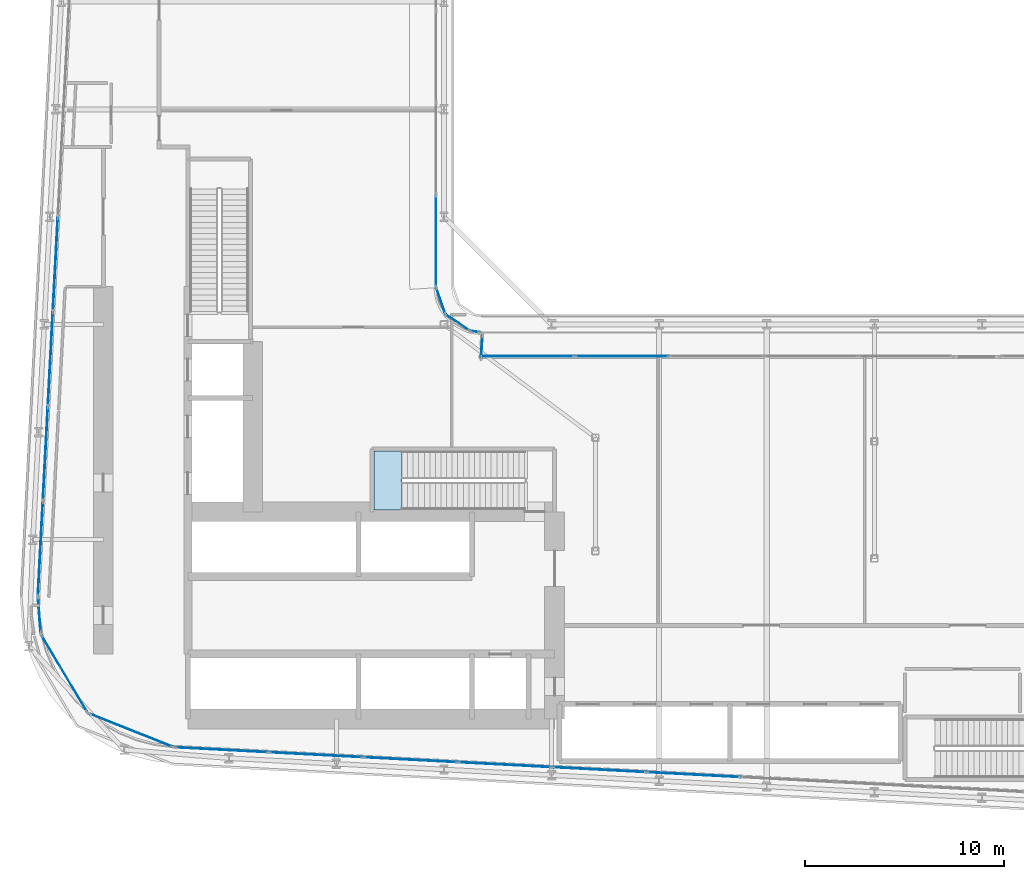
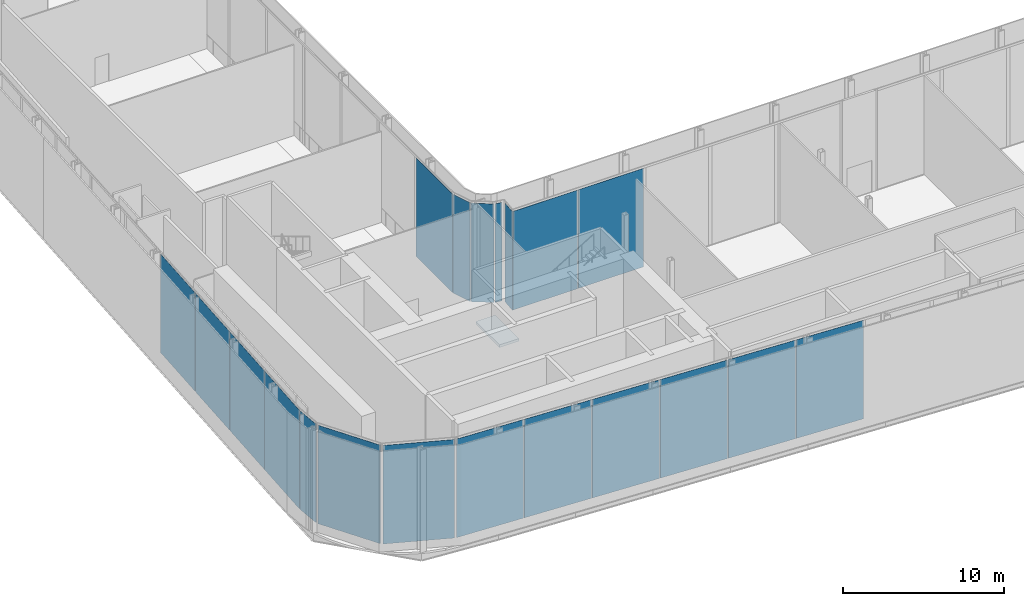
# One storey, part 20 of 36: 20 plates, 1 slab, 12 elements without a shape of their own.
"""IFC4 building model written with IfcOpenShell, lengths in metres."""

from ifc_helpers import new_model, si_unit, direction, frame, origin, origin_2d, place, context, subcontext, project, spatial, polyline, rectangle, outline, extrude, material, layer, layer_set, type_object, element, aggregate, save


model = new_model("IFC4")

# Units and contexts
model_context = context("Model", 3, precision=1e-05, world=origin(), true_north=direction((0.0, 1.0)))
body_context = subcontext(model_context, "Body", "Model", "MODEL_VIEW")
ifc_project = project(units=[si_unit("LENGTHUNIT", "METRE"), si_unit("AREAUNIT", "SQUARE_METRE"), si_unit("VOLUMEUNIT", "CUBIC_METRE"), si_unit("PLANEANGLEUNIT", "RADIAN"), si_unit("MASSUNIT", "GRAM", prefix="KILO")], contexts=[model_context])

# Site, building, storey
site_placement = place(None, origin())
site = spatial("IfcSite", under=ifc_project, at=site_placement, CompositionType="ELEMENT")
building_placement = place(site_placement, origin())
building = spatial("IfcBuilding", under=site, at=building_placement, Name="Kheshtan School and Residences Tower", CompositionType="ELEMENT")
storey_placement = place(building_placement, frame((0.0, 0.0, 81.199951171875)))
storey = spatial("IfcBuildingStorey", under=building, at=storey_placement, Name="L19", CompositionType="ELEMENT", Elevation=81.199951171875)

# Curtain wall, plates
ifc_material_1 = material(Name="Clear low-e glass in thermally broken aluminium frame", Category="aluminium")
ifc_layer_1 = layer(ifc_material_1, 0.25)
ifc_layer_set_1 = layer_set([ifc_layer_1], Name="Curtain wall CW-G")
curtain_wall_type_1 = type_object("IfcCurtainWallType", Name="Curtain wall CW-G", PredefinedType="NOTDEFINED", material=ifc_layer_set_1)
curtain_wall_1_placement = place(storey_placement, origin())
curtain_wall_1 = element("IfcCurtainWall", 1, at=curtain_wall_1_placement, inside=storey, type_object=curtain_wall_type_1, Name="Curtain wall CWG5", PredefinedType="NOTDEFINED")
ifc_layer_2 = layer(ifc_material_1, 0.0380859375)
ifc_layer_set_2 = layer_set([ifc_layer_2], Name="CW-G glass panel")
plate_type_1 = type_object("IfcPlateType", Name="CW-G glass panel", PredefinedType="CURTAIN_PANEL", material=ifc_layer_set_2)
plate_1_placement = place(storey_placement, frame((51.81640625, 44.0, 0.0), z_axis=(0.0, 0.0, 1.0), x_axis=(1.0, 0.0, 0.0)))
plate_1 = element("IfcPlate", 2, at=plate_1_placement, type_object=plate_type_1, Name="CWG5 panel 1.1", PredefinedType="CURTAIN_PANEL", context=body_context, shape_type="SweptSolid", body=[
    extrude(rectangle(XDim=4.647216796875, YDim=0.0380859375, at=origin_2d()), origin(), (0.0, 0.0, 1.0), 7.489990234375),
])
plate_2_placement = place(storey_placement, frame((56.5400390625, 44.0, 0.0), z_axis=(0.0, 0.0, 1.0), x_axis=(1.0, 0.0, 0.0)))
plate_2 = element("IfcPlate", 3, at=plate_2_placement, type_object=plate_type_1, Name="CWG5 panel 2.1", PredefinedType="CURTAIN_PANEL", context=body_context, shape_type="SweptSolid", body=[
    extrude(rectangle(XDim=4.679931640625, YDim=0.0380859375, at=origin_2d()), origin(), (0.0, 0.0, 1.0), 7.489990234375),
])
aggregate(curtain_wall_1, [plate_1, plate_2])

# Curtain wall, plate
ifc_layer_3 = layer(ifc_material_1, 0.25)
ifc_layer_set_3 = layer_set([ifc_layer_3], Name="Curtain wall CW-K")
curtain_wall_type_2 = type_object("IfcCurtainWallType", Name="Curtain wall CW-K", PredefinedType="NOTDEFINED", material=ifc_layer_set_3)
curtain_wall_2_placement = place(storey_placement, origin())
curtain_wall_2 = element("IfcCurtainWall", 4, at=curtain_wall_2_placement, inside=storey, type_object=curtain_wall_type_2, Name="Curtain wall CWK1", PredefinedType="NOTDEFINED")
ifc_layer_4 = layer(ifc_material_1, 0.0380859375)
ifc_layer_set_4 = layer_set([ifc_layer_4], Name="CW-K glass panel")
plate_type_2 = type_object("IfcPlateType", Name="CW-K glass panel", PredefinedType="CURTAIN_PANEL", material=ifc_layer_set_4)
plate_3_placement = place(storey_placement, frame((47.44140625, 46.78662109375, 0.0), z_axis=(0.0, 0.0, 1.0), x_axis=(0.326520252796, -0.945190205469, 0.0)))
plate_3 = element("IfcPlate", 5, at=plate_3_placement, type_object=plate_type_2, Name="CWK1 panel 1.1", PredefinedType="CURTAIN_PANEL", context=body_context, shape_type="SweptSolid", body=[
    extrude(rectangle(XDim=1.392822265625, YDim=0.0380859375, at=origin_2d()), origin(), (0.0, 0.0, 1.0), 7.489990234375),
])
aggregate(curtain_wall_2, [plate_3])

curtain_wall_3_placement = place(storey_placement, origin())
curtain_wall_3 = element("IfcCurtainWall", 6, at=curtain_wall_3_placement, inside=storey, type_object=curtain_wall_type_2, Name="Curtain wall CWK2", PredefinedType="NOTDEFINED")
plate_4_placement = place(storey_placement, frame((48.294677734375, 45.69091796875, 0.0), z_axis=(0.0, 0.0, 1.0), x_axis=(0.831352904033, -0.555744859586, 0.0)))
plate_4 = element("IfcPlate", 7, at=plate_4_placement, type_object=plate_type_2, Name="CWK2 panel 1.1", PredefinedType="CURTAIN_PANEL", context=body_context, shape_type="SweptSolid", body=[
    extrude(rectangle(XDim=1.419189453125, YDim=0.0380859375, at=origin_2d()), origin(), (0.0, 0.0, 1.0), 7.489990234375),
])
aggregate(curtain_wall_3, [plate_4])

curtain_wall_4_placement = place(storey_placement, origin())
curtain_wall_4 = element("IfcCurtainWall", 8, at=curtain_wall_4_placement, inside=storey, type_object=curtain_wall_type_2, Name="Curtain wall CWK3", PredefinedType="NOTDEFINED")
plate_5_placement = place(storey_placement, frame((49.166748046875, 45.240966796875, 0.0), z_axis=(0.0, 0.0, 1.0), x_axis=(0.990472214807, -0.137712714358, 0.0)))
plate_5 = element("IfcPlate", 9, at=plate_5_placement, type_object=plate_type_2, Name="CWK3 panel 1.1", PredefinedType="CURTAIN_PANEL", context=body_context, shape_type="SweptSolid", body=[
    extrude(rectangle(XDim=0.459716796875, YDim=0.0380859375, at=origin_2d()), origin(), (0.0, 0.0, 1.0), 7.489990234375),
])
aggregate(curtain_wall_4, [plate_5])

curtain_wall_5_placement = place(storey_placement, origin())
curtain_wall_5 = element("IfcCurtainWall", 10, at=curtain_wall_5_placement, inside=storey, type_object=curtain_wall_type_2, Name="Curtain wall CWK4", PredefinedType="NOTDEFINED")
plate_6_placement = place(storey_placement, frame((49.500244140625, 44.496826171875, 0.0), z_axis=(0.0, 0.0, 1.0), x_axis=(-0.065855059944, -0.997829199352, 0.0)))
plate_6 = element("IfcPlate", 11, at=plate_6_placement, type_object=plate_type_2, Name="CWK4 panel 1.1", PredefinedType="CURTAIN_PANEL", context=body_context, shape_type="SweptSolid", body=[
    extrude(rectangle(XDim=1.07958984375, YDim=0.0380859375, at=origin_2d()), origin(), (0.0, 0.0, 1.0), 7.489990234375),
])
aggregate(curtain_wall_5, [plate_6])

# Curtain wall, plates
curtain_wall_6_placement = place(storey_placement, origin())
curtain_wall_6 = element("IfcCurtainWall", 12, at=curtain_wall_6_placement, inside=storey, type_object=curtain_wall_type_2, Name="Curtain wall CWK14", PredefinedType="NOTDEFINED")
plate_7_placement = place(storey_placement, frame((60.135498046875, 23.00439453125, 0.0), z_axis=(0.0, 0.0, 1.0), x_axis=(-0.998617247391, 0.052569888839, 0.0)))
plate_7 = element("IfcPlate", 13, at=plate_7_placement, type_object=plate_type_2, Name="CWK14 panel 9.1", PredefinedType="CURTAIN_PANEL", context=body_context, shape_type="SweptSolid", body=[
    extrude(rectangle(XDim=4.6875, YDim=0.0380859375, at=origin_2d()), origin(), (0.0, 0.0, 1.0), 7.489990234375),
])
plate_8_placement = place(storey_placement, frame((55.39453125, 23.254150390625, 0.0), z_axis=(0.0, 0.0, 1.0), x_axis=(-0.998617247391, 0.052569888839, 0.0)))
plate_8 = element("IfcPlate", 14, at=plate_8_placement, type_object=plate_type_2, Name="CWK14 panel 10.1", PredefinedType="CURTAIN_PANEL", context=body_context, shape_type="SweptSolid", body=[
    extrude(rectangle(XDim=4.6875, YDim=0.0380859375, at=origin_2d()), origin(), (0.0, 0.0, 1.0), 7.489990234375),
])
plate_9_placement = place(storey_placement, frame((50.65380859375, 23.503662109375, 0.0), z_axis=(0.0, 0.0, 1.0), x_axis=(-0.998617247391, 0.052569888839, 0.0)))
plate_9 = element("IfcPlate", 15, at=plate_9_placement, type_object=plate_type_2, Name="CWK14 panel 11.1", PredefinedType="CURTAIN_PANEL", context=body_context, shape_type="SweptSolid", body=[
    extrude(rectangle(XDim=4.6875, YDim=0.0380859375, at=origin_2d()), origin(), (0.0, 0.0, 1.0), 7.489990234375),
])
plate_10_placement = place(storey_placement, frame((45.912841796875, 23.753173828125, 0.0), z_axis=(0.0, 0.0, 1.0), x_axis=(-0.998617247391, 0.052569888839, 0.0)))
plate_10 = element("IfcPlate", 16, at=plate_10_placement, type_object=plate_type_2, Name="CWK14 panel 12.1", PredefinedType="CURTAIN_PANEL", context=body_context, shape_type="SweptSolid", body=[
    extrude(rectangle(XDim=4.6875, YDim=0.0380859375, at=origin_2d()), origin(), (0.0, 0.0, 1.0), 7.489990234375),
])
plate_11_placement = place(storey_placement, frame((41.172119140625, 24.002685546875, 0.0), z_axis=(0.0, 0.0, 1.0), x_axis=(-0.998617247391, 0.052569888839, 0.0)))
plate_11 = element("IfcPlate", 17, at=plate_11_placement, type_object=plate_type_2, Name="CWK14 panel 13.1", PredefinedType="CURTAIN_PANEL", context=body_context, shape_type="SweptSolid", body=[
    extrude(rectangle(XDim=4.6875, YDim=0.0380859375, at=origin_2d()), origin(), (0.0, 0.0, 1.0), 7.489990234375),
])
plate_12_placement = place(storey_placement, frame((36.446044921875, 24.25146484375, 0.0), z_axis=(0.0, 0.0, 1.0), x_axis=(-0.998617247391, 0.052569888839, 0.0)))
plate_12 = element("IfcPlate", 18, at=plate_12_placement, type_object=plate_type_2, Name="CWK14 panel 14.1", PredefinedType="CURTAIN_PANEL", context=body_context, shape_type="SweptSolid", body=[
    extrude(rectangle(XDim=4.657470703125, YDim=0.0380859375, at=origin_2d()), origin(), (0.0, 0.0, 1.0), 7.489990234375),
])
aggregate(curtain_wall_6, [plate_7, plate_8, plate_9, plate_10, plate_11, plate_12])

# Curtain wall, plate
curtain_wall_7_placement = place(storey_placement, origin())
curtain_wall_7 = element("IfcCurtainWall", 19, at=curtain_wall_7_placement, inside=storey, type_object=curtain_wall_type_2, Name="Curtain wall CWK15", PredefinedType="NOTDEFINED")
plate_13_placement = place(storey_placement, frame((31.89501953125, 25.2314453125, 0.0), z_axis=(0.0, 0.0, 1.0), x_axis=(-0.929389950531, 0.369099336022, 0.0)))
plate_13 = element("IfcPlate", 20, at=plate_13_placement, type_object=plate_type_2, Name="CWK15 panel 1.1", PredefinedType="CURTAIN_PANEL", context=body_context, shape_type="SweptSolid", body=[
    extrude(rectangle(XDim=4.47216796875, YDim=0.0380859375, at=origin_2d()), origin(), (0.0, 0.0, 1.0), 7.489990234375),
])
aggregate(curtain_wall_7, [plate_13])

curtain_wall_8_placement = place(storey_placement, origin())
curtain_wall_8 = element("IfcCurtainWall", 21, at=curtain_wall_8_placement, inside=storey, type_object=curtain_wall_type_2, Name="Curtain wall CWK16", PredefinedType="NOTDEFINED")
plate_14_placement = place(storey_placement, frame((28.546142578125, 28.081787109375, 0.0), z_axis=(0.0, 0.0, 1.0), x_axis=(-0.511075392878, 0.85953588802, 0.0)))
plate_14 = element("IfcPlate", 22, at=plate_14_placement, type_object=plate_type_2, Name="CWK16 panel 1.1", PredefinedType="CURTAIN_PANEL", context=body_context, shape_type="SweptSolid", body=[
    extrude(rectangle(XDim=4.44287109375, YDim=0.0380859375, at=origin_2d()), origin(), (0.0, 0.0, 1.0), 7.489990234375),
])
aggregate(curtain_wall_8, [plate_14])

curtain_wall_9_placement = place(storey_placement, origin())
curtain_wall_9 = element("IfcCurtainWall", 23, at=curtain_wall_9_placement, inside=storey, type_object=curtain_wall_type_2, Name="Curtain wall CWK17", PredefinedType="NOTDEFINED")
plate_15_placement = place(storey_placement, frame((27.293212890625, 31.024658203125, 0.0), z_axis=(0.0, 0.0, 1.0), x_axis=(-0.077549452299, 0.996988506678, 0.0)))
plate_15 = element("IfcPlate", 24, at=plate_15_placement, type_object=plate_type_2, Name="CWK17 panel 1.1", PredefinedType="CURTAIN_PANEL", context=body_context, shape_type="SweptSolid", body=[
    extrude(rectangle(XDim=1.7626953125, YDim=0.0380859375, at=origin_2d()), origin(), (0.0, 0.0, 1.0), 7.489990234375),
])
aggregate(curtain_wall_9, [plate_15])

# Curtain wall, plates
curtain_wall_10_placement = place(storey_placement, origin())
curtain_wall_10 = element("IfcCurtainWall", 25, at=curtain_wall_10_placement, inside=storey, type_object=curtain_wall_type_2, Name="Curtain wall CWK18", PredefinedType="NOTDEFINED")
plate_16_placement = place(storey_placement, frame((27.343994140625, 34.3310546875, 0.0), z_axis=(0.0, 0.0, 1.0), x_axis=(0.05256513568, 0.998617497599, 0.0)))
plate_16 = element("IfcPlate", 26, at=plate_16_placement, type_object=plate_type_2, Name="CWK18 panel 1.1", PredefinedType="CURTAIN_PANEL", context=body_context, shape_type="SweptSolid", body=[
    extrude(rectangle(XDim=4.741455078125, YDim=0.0380859375, at=origin_2d()), origin(), (0.0, 0.0, 1.0), 7.489990234375),
])
plate_17_placement = place(storey_placement, frame((27.595458984375, 39.1044921875, 0.0), z_axis=(0.0, 0.0, 1.0), x_axis=(0.05256513568, 0.998617497599, 0.0)))
plate_17 = element("IfcPlate", 27, at=plate_17_placement, type_object=plate_type_2, Name="CWK18 panel 2.1", PredefinedType="CURTAIN_PANEL", context=body_context, shape_type="SweptSolid", body=[
    extrude(rectangle(XDim=4.69873046875, YDim=0.0380859375, at=origin_2d()), origin(), (0.0, 0.0, 1.0), 7.489990234375),
])
plate_18_placement = place(storey_placement, frame((27.845458984375, 43.856689453125, 0.0), z_axis=(0.0, 0.0, 1.0), x_axis=(0.05256513568, 0.998617497599, 0.0)))
plate_18 = element("IfcPlate", 28, at=plate_18_placement, type_object=plate_type_2, Name="CWK18 panel 3.1", PredefinedType="CURTAIN_PANEL", context=body_context, shape_type="SweptSolid", body=[
    extrude(rectangle(XDim=4.69873046875, YDim=0.0380859375, at=origin_2d()), origin(), (0.0, 0.0, 1.0), 7.489990234375),
])
plate_19_placement = place(storey_placement, frame((28.095703125, 48.608642578125, 0.0), z_axis=(0.0, 0.0, 1.0), x_axis=(0.05256513568, 0.998617497599, 0.0)))
plate_19 = element("IfcPlate", 29, at=plate_19_placement, type_object=plate_type_2, Name="CWK18 panel 4.1", PredefinedType="CURTAIN_PANEL", context=body_context, shape_type="SweptSolid", body=[
    extrude(rectangle(XDim=4.69873046875, YDim=0.0380859375, at=origin_2d()), origin(), (0.0, 0.0, 1.0), 7.489990234375),
])
aggregate(curtain_wall_10, [plate_16, plate_17, plate_18, plate_19])

# Curtain wall, plate
curtain_wall_11_placement = place(storey_placement, origin())
curtain_wall_11 = element("IfcCurtainWall", 30, at=curtain_wall_11_placement, inside=storey, type_object=curtain_wall_type_2, Name="Curtain wall CWK24", PredefinedType="NOTDEFINED")
plate_20_placement = place(storey_placement, frame((47.199951171875, 49.789306640625, 0.0), z_axis=(0.0, 0.0, 1.0), x_axis=(0.0, -1.0, 0.0)))
plate_20 = element("IfcPlate", 31, at=plate_20_placement, type_object=plate_type_2, Name="CWK24 panel 11.1", PredefinedType="CURTAIN_PANEL", context=body_context, shape_type="SweptSolid", body=[
    extrude(rectangle(XDim=4.572265625, YDim=0.0380859375, at=origin_2d()), origin(), (0.0, 0.0, 1.0), 7.489990234375),
])
aggregate(curtain_wall_11, [plate_20])

# Stair, slab
ifc_material_2 = material(Name="Concrete C40/50", Category="concrete")
stair_type = type_object("IfcStairType", Name="Exit stair, half-turn", PredefinedType="HALF_TURN_STAIR", material=ifc_material_2)
stair_placement = place(storey_placement, origin())
stair = element("IfcStair", 32, at=stair_placement, inside=storey, type_object=stair_type, Name="L19 Protected Exit Stair ST1", PredefinedType="HALF_TURN_STAIR")
ifc_layer_5 = layer(ifc_material_2, 0.199951171875)
ifc_layer_set_5 = layer_set([ifc_layer_5], Name="Stair landing 200 Concrete C40/50")
slab_type = type_object("IfcSlabType", Name="Stair landing 200 Concrete C40/50", PredefinedType="LANDING", material=ifc_layer_set_5)
slab_placement = place(storey_placement, frame((0.0, 0.0, 3.699951171875)))
slab = element("IfcSlab", 33, at=slab_placement, type_object=slab_type, Name="ST1 landing 1", PredefinedType="LANDING", context=body_context, shape_type="SweptSolid", body=[
    extrude(outline(polyline([(45.489990234375, 39.25), (44.090087890625, 39.25), (44.090087890625, 36.300048828125), (45.489990234375, 36.300048828125), (45.489990234375, 39.25)])), origin(), (0.0, 0.0, 1.0), 0.2001953125),
])
aggregate(stair, [slab])

save(model, "model.ifc")
